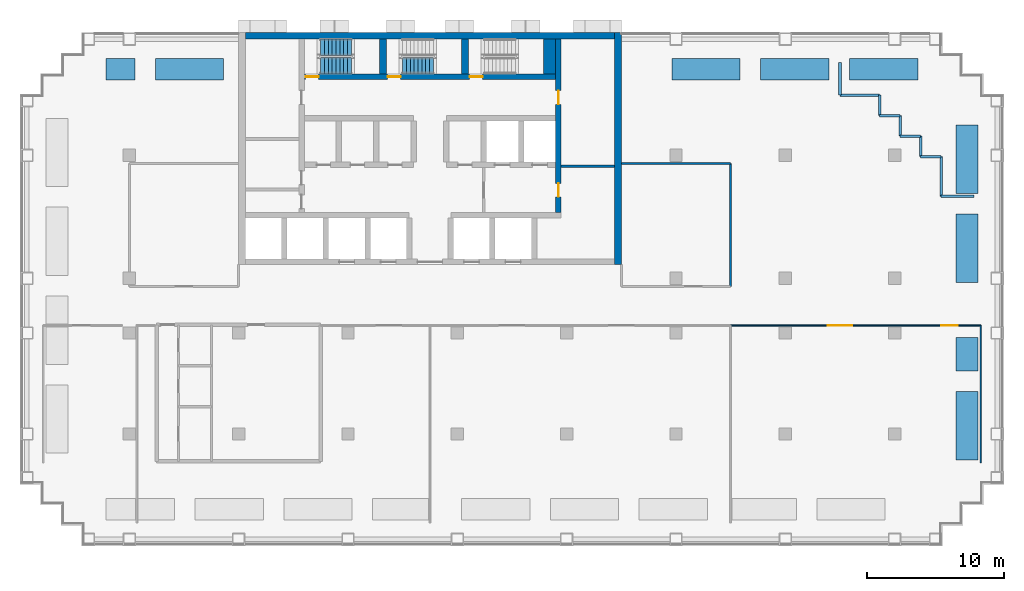
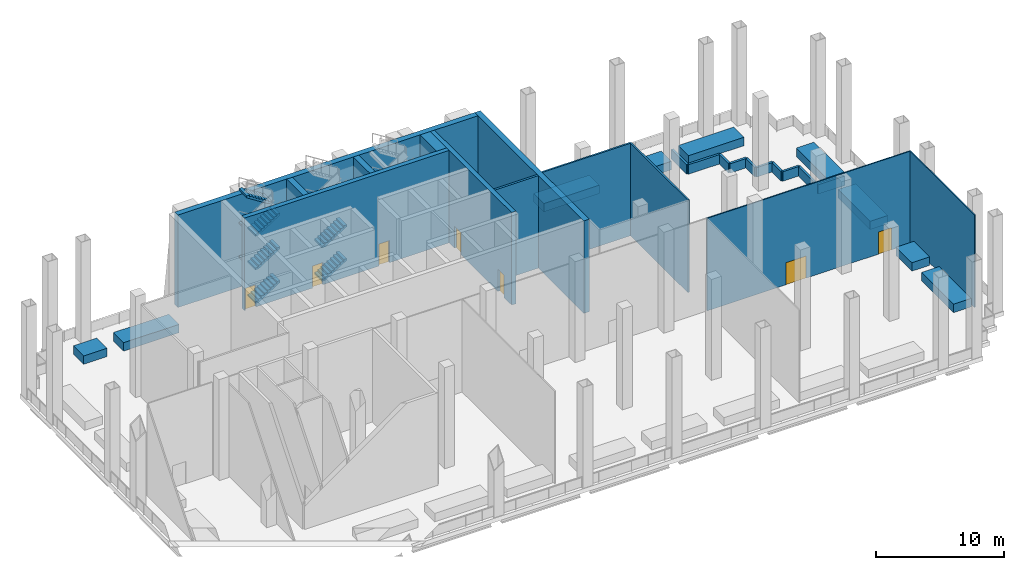
# One storey, part 4 of 9: 31 walls, 8 stair flights, 7 doors, 7 openings, 2 elements without a shape of their own.
"""IFC4 building model written with IfcOpenShell, lengths in metres."""

from ifc_helpers import new_model, si_unit, direction, frame, frame_2d, origin, place, context, subcontext, project, spatial, polyline, rectangle, outline, extrude, material, layer, layer_set, type_object, element, fill, aggregate, save


model = new_model("IFC4")

# Units and contexts
model_context = context("Model", 3, precision=1e-05, world=origin(), true_north=direction((0.0, 1.0)))
body_context = subcontext(model_context, "Body", "Model", "MODEL_VIEW")
ifc_project = project(units=[si_unit("LENGTHUNIT", "METRE"), si_unit("AREAUNIT", "SQUARE_METRE"), si_unit("VOLUMEUNIT", "CUBIC_METRE"), si_unit("PLANEANGLEUNIT", "RADIAN"), si_unit("MASSUNIT", "GRAM", prefix="KILO")], contexts=[model_context])

# Site, building, storey
site_placement = place(None, origin())
site = spatial("IfcSite", under=ifc_project, at=site_placement, CompositionType="ELEMENT")
building_placement = place(site_placement, origin())
building = spatial("IfcBuilding", under=site, at=building_placement, Name="Vidyagriha Tower", CompositionType="ELEMENT")
storey_placement = place(building_placement, frame((0.0, 0.0, 106.300048828125)))
storey = spatial("IfcBuildingStorey", under=building, at=storey_placement, Name="L28", CompositionType="ELEMENT", Elevation=106.300048828125)

# Walls
ifc_material_1 = material(Name="Precast concrete C40/50 with brick facing", Category="concrete")
ifc_layer_1 = layer(ifc_material_1, 1.60009765625)
ifc_layer_set_1 = layer_set([ifc_layer_1], Name="Precast concrete C40/50 with brick facing")
wall_type_1 = type_object("IfcWallType", Name="Brick planter box 1600", PredefinedType="STANDARD", material=ifc_layer_set_1)
for number, where, z_axis, x_axis, name in (
    (1, (35.699951171875, 17.300048828125, 0.0), (0.0, 0.0, 1.0), (-1.0, 0.0, 0.0), "PLANTER L28 1"),
    (2, (29.199951171875, 17.300048828125, 0.0), (0.0, 0.0, 1.0), (-1.0, 0.0, 0.0), "PLANTER L28 2"),
    (3, (22.699951171875, 17.300048828125, 0.0), (0.0, 0.0, 1.0), (-1.0, 0.0, 0.0), "PLANTER L28 3"),
    (4, (-15.10009765625, 17.300048828125, 0.0), (0.0, 0.0, 1.0), (-1.0, 0.0, 0.0), "PLANTER L28 4"),
):
    element("IfcWall", number, at=place(storey_placement, frame(where, z_axis=z_axis, x_axis=x_axis)), inside=storey, type_object=wall_type_1, Name=name, PredefinedType="STANDARD", context=body_context, shape_type="SweptSolid", body=[
        extrude(rectangle(XDim=5.0, YDim=1.60009765625, at=frame_2d((2.5, 0.0))), origin(), (0.0, 0.0, 1.0), 0.800048828125),
    ])
wall_1_placement = place(storey_placement, frame((-21.60009765625, 17.300048828125, 0.0), z_axis=(0.0, 0.0, 1.0), x_axis=(-1.0, 0.0, 0.0)))
element("IfcWall", 5, at=wall_1_placement, inside=storey, type_object=wall_type_1, Name="PLANTER L28 5", PredefinedType="STANDARD", context=body_context, shape_type="SweptSolid", body=[
    extrude(rectangle(XDim=2.099853515625, YDim=1.60009765625, at=frame_2d((1.0498046875, 0.0))), origin(), (0.0, 0.0, 1.0), 0.800048828125),
])
for number, where, z_axis, x_axis, name in (
    (6, (39.300048828125, -11.300048828125, 0.0), (0.0, 0.0, 1.0), (0.0, 1.0, 0.0), "PLANTER L28 19"),
    (7, (39.300048828125, 1.699951171875, 0.0), (0.0, 0.0, 1.0), (0.0, 1.0, 0.0), "PLANTER L28 21"),
    (8, (39.300048828125, 8.199951171875, 0.0), (0.0, 0.0, 1.0), (0.0, 1.0, 0.0), "PLANTER L28 22"),
):
    element("IfcWall", number, at=place(storey_placement, frame(where, z_axis=z_axis, x_axis=x_axis)), inside=storey, type_object=wall_type_1, Name=name, PredefinedType="STANDARD", context=body_context, shape_type="SweptSolid", body=[
        extrude(rectangle(XDim=5.0, YDim=1.60009765625, at=frame_2d((2.5, 0.0))), origin(), (0.0, 0.0, 1.0), 0.800048828125),
    ])
wall_2_placement = place(storey_placement, frame((39.300048828125, -4.800048828125, 0.0), z_axis=(0.0, 0.0, 1.0), x_axis=(0.0, 1.0, 0.0)))
element("IfcWall", 9, at=wall_2_placement, inside=storey, type_object=wall_type_1, Name="PLANTER L28 20", PredefinedType="STANDARD", context=body_context, shape_type="SweptSolid", body=[
    extrude(rectangle(XDim=2.449951171875, YDim=1.60009765625, at=frame_2d((1.22509765625, 0.0))), origin(), (0.0, 0.0, 1.0), 0.800048828125),
])
ifc_material_2 = material(Name="Fired clay brick masonry", Category="masonry")
ifc_layer_2 = layer(ifc_material_2, 0.199951171875)
ifc_layer_set_2 = layer_set([ifc_layer_2], Name="Fired clay brick masonry")
wall_type_2 = type_object("IfcWallType", Name="Brick planter wall 200", PredefinedType="PARTITIONING", material=ifc_layer_set_2)
wall_3_placement = place(storey_placement, frame((37.39990234375, 8.0, 0.0)))
element("IfcWall", 10, at=wall_3_placement, inside=storey, type_object=wall_type_2, Name="Wall all-L28-w040", PredefinedType="PARTITIONING", context=body_context, shape_type="SweptSolid", body=[
    extrude(rectangle(XDim=2.400146484375, YDim=0.199951171875, at=frame_2d((1.2001953125, 0.0))), origin(), (0.0, 0.0, 1.0), 0.89990234375),
])
wall_4_placement = place(storey_placement, frame((37.39990234375, 8.0, 0.0), z_axis=(0.0, 0.0, 1.0), x_axis=(0.0, 1.0, 0.0)))
element("IfcWall", 11, at=wall_4_placement, inside=storey, type_object=wall_type_2, Name="Wall all-L28-w041", PredefinedType="PARTITIONING", context=body_context, shape_type="SweptSolid", body=[
    extrude(rectangle(XDim=2.89990234375, YDim=0.199951171875, at=frame_2d((1.449951171875, 0.0))), origin(), (0.0, 0.0, 1.0), 0.89990234375),
])
wall_5_placement = place(storey_placement, frame((35.89990234375, 10.89990234375, 0.0)))
element("IfcWall", 12, at=wall_5_placement, inside=storey, type_object=wall_type_2, Name="Wall all-L28-w042", PredefinedType="PARTITIONING", context=body_context, shape_type="SweptSolid", body=[
    extrude(rectangle(XDim=1.5, YDim=0.199951171875, at=frame_2d((0.75, 0.0))), origin(), (0.0, 0.0, 1.0), 0.89990234375),
])
wall_6_placement = place(storey_placement, frame((35.89990234375, 12.39990234375, 0.0), z_axis=(0.0, 0.0, 1.0), x_axis=(0.0, -1.0, 0.0)))
element("IfcWall", 13, at=wall_6_placement, inside=storey, type_object=wall_type_2, Name="Wall all-L28-w043", PredefinedType="PARTITIONING", context=body_context, shape_type="SweptSolid", body=[
    extrude(rectangle(XDim=1.5, YDim=0.199951171875, at=frame_2d((0.75, 0.0))), origin(), (0.0, 0.0, 1.0), 0.89990234375),
])
wall_7_placement = place(storey_placement, frame((34.39990234375, 12.39990234375, 0.0)))
element("IfcWall", 14, at=wall_7_placement, inside=storey, type_object=wall_type_2, Name="Wall all-L28-w044", PredefinedType="PARTITIONING", context=body_context, shape_type="SweptSolid", body=[
    extrude(rectangle(XDim=1.5, YDim=0.199951171875, at=frame_2d((0.75, 0.0))), origin(), (0.0, 0.0, 1.0), 0.89990234375),
])
wall_8_placement = place(storey_placement, frame((34.39990234375, 13.89990234375, 0.0), z_axis=(0.0, 0.0, 1.0), x_axis=(0.0, -1.0, 0.0)))
element("IfcWall", 15, at=wall_8_placement, inside=storey, type_object=wall_type_2, Name="Wall all-L28-w045", PredefinedType="PARTITIONING", context=body_context, shape_type="SweptSolid", body=[
    extrude(rectangle(XDim=1.5, YDim=0.199951171875, at=frame_2d((0.75, 0.0))), origin(), (0.0, 0.0, 1.0), 0.89990234375),
])
wall_9_placement = place(storey_placement, frame((32.89990234375, 13.89990234375, 0.0)))
element("IfcWall", 16, at=wall_9_placement, inside=storey, type_object=wall_type_2, Name="Wall all-L28-w046", PredefinedType="PARTITIONING", context=body_context, shape_type="SweptSolid", body=[
    extrude(rectangle(XDim=1.5, YDim=0.199951171875, at=frame_2d((0.75, 0.0))), origin(), (0.0, 0.0, 1.0), 0.89990234375),
])
wall_10_placement = place(storey_placement, frame((32.89990234375, 15.39990234375, 0.0), z_axis=(0.0, 0.0, 1.0), x_axis=(0.0, -1.0, 0.0)))
element("IfcWall", 17, at=wall_10_placement, inside=storey, type_object=wall_type_2, Name="Wall all-L28-w047", PredefinedType="PARTITIONING", context=body_context, shape_type="SweptSolid", body=[
    extrude(rectangle(XDim=1.5, YDim=0.199951171875, at=frame_2d((0.75, 0.0))), origin(), (0.0, 0.0, 1.0), 0.89990234375),
])
wall_11_placement = place(storey_placement, frame((32.89990234375, 15.39990234375, 0.0), z_axis=(0.0, 0.0, 1.0), x_axis=(-1.0, 0.0, 0.0)))
element("IfcWall", 18, at=wall_11_placement, inside=storey, type_object=wall_type_2, Name="Wall all-L28-w048", PredefinedType="PARTITIONING", context=body_context, shape_type="SweptSolid", body=[
    extrude(rectangle(XDim=2.89990234375, YDim=0.199951171875, at=frame_2d((1.449951171875, 0.0))), origin(), (0.0, 0.0, 1.0), 0.89990234375),
])
wall_12_placement = place(storey_placement, frame((30.0, 17.800048828125, 0.0), z_axis=(0.0, 0.0, 1.0), x_axis=(0.0, -1.0, 0.0)))
element("IfcWall", 19, at=wall_12_placement, inside=storey, type_object=wall_type_2, Name="Wall all-L28-w049", PredefinedType="PARTITIONING", context=body_context, shape_type="SweptSolid", body=[
    extrude(rectangle(XDim=2.400146484375, YDim=0.199951171875, at=frame_2d((1.2001953125, 0.0))), origin(), (0.0, 0.0, 1.0), 0.89990234375),
])

# Wall, openings, doors
ifc_material_3 = material(Name="Concrete C60/75", Category="concrete")
ifc_layer_3 = layer(ifc_material_3, 0.39990234375)
ifc_layer_set_3 = layer_set([ifc_layer_3], Name="Concrete C60/75")
wall_type_3 = type_object("IfcWallType", Name="Core shear wall 400 mm", PredefinedType="SHEAR", material=ifc_layer_set_3)
wall_13_placement = place(storey_placement, frame((9.39990234375, 6.800048828125, 0.0), z_axis=(0.0, 0.0, 1.0), x_axis=(0.0, 1.0, 0.0)))
wall_13 = element("IfcWall", 20, at=wall_13_placement, inside=storey, type_object=wall_type_3, Name="Core east spine wall", PredefinedType="SHEAR", context=body_context, shape_type="SweptSolid", body=[
    extrude(rectangle(XDim=12.699951171875, YDim=0.39990234375, at=frame_2d((6.35009765625, 0.0))), origin(), (0.0, 0.0, 1.0), 8.800048828125),
])
opening_1_placement = place(wall_13_placement, frame((1.14990234375, 0.0, 0.0)))
opening_1 = element("IfcOpeningElement", 21, at=opening_1_placement, cuts=wall_13, Name="Opening D28-13", PredefinedType="OPENING", context=body_context, shape_type="SweptSolid", body=[
    extrude(rectangle(XDim=1.0, YDim=2.10009765625, at=frame_2d((0.5, 1.050048828125))), frame((0.0, 0.2099609375, 0.0), z_axis=(0.0, -1.0, 0.0), x_axis=(1.0, 0.0, 0.0)), (0.0, 0.0, 1.0), 0.419921875),
])
opening_2_placement = place(wall_13_placement, frame((7.925048828125, 0.0, 0.0)))
opening_2 = element("IfcOpeningElement", 22, at=opening_2_placement, cuts=wall_13, Name="Opening D28-14", PredefinedType="OPENING", context=body_context, shape_type="SweptSolid", body=[
    extrude(rectangle(XDim=1.0, YDim=2.10009765625, at=frame_2d((0.5, 1.050048828125))), frame((0.0, 0.2099609375, 0.0), z_axis=(0.0, -1.0, 0.0), x_axis=(1.0, 0.0, 0.0)), (0.0, 0.0, 1.0), 0.419921875),
])
ifc_material_4 = material(Name="Hollow metal door leaf")
door_type_1 = type_object("IfcDoorType", Name="Core room door 1000 x 2100 mm EI 60", OperationType="NOTDEFINED", PredefinedType="DOOR", material=ifc_material_4)
door_1_placement = place(opening_1_placement, origin())
door_1 = element("IfcDoor", 23, at=door_1_placement, inside=storey, type_object=door_type_1, Name="Door Pressurisation Plant Room 28.E1", OperationType="SINGLE_SWING_RIGHT", OverallHeight=2.10009765625, OverallWidth=1.0, PredefinedType="DOOR", context=body_context, shape_type="SweptSolid", body=[
    extrude(rectangle(XDim=1.0, YDim=2.10009765625, at=frame_2d((0.5, 1.050048828125))), frame((0.0, 0.02490234375, 0.0), z_axis=(0.0, -1.0, 0.0), x_axis=(1.0, 0.0, 0.0)), (0.0, 0.0, 1.0), 0.050048828125),
])
fill(opening_1, door_1)
door_2_placement = place(opening_2_placement, origin())
door_2 = element("IfcDoor", 24, at=door_2_placement, inside=storey, type_object=door_type_1, Name="Door Storage Room 28.E2", OperationType="SINGLE_SWING_LEFT", OverallHeight=2.10009765625, OverallWidth=1.0, PredefinedType="DOOR", context=body_context, shape_type="SweptSolid", body=[
    extrude(rectangle(XDim=1.0, YDim=2.10009765625, at=frame_2d((0.5, 1.050048828125))), frame((0.0, 0.02490234375, 0.0), z_axis=(0.0, -1.0, 0.0), x_axis=(1.0, 0.0, 0.0)), (0.0, 0.0, 1.0), 0.050048828125),
])
fill(opening_2, door_2)

wall_14_placement = place(storey_placement, frame((-9.199951171875, 16.75, 0.0)))
wall_14 = element("IfcWall", 25, at=wall_14_placement, inside=storey, type_object=wall_type_3, Name="Stair front wall", PredefinedType="SHEAR", context=body_context, shape_type="SweptSolid", body=[
    extrude(rectangle(XDim=18.39990234375, YDim=0.39990234375, at=frame_2d((9.199951171875, 0.0))), origin(), (0.0, 0.0, 1.0), 8.800048828125),
])
opening_3_placement = place(wall_14_placement, frame((0.10009765625, 0.0, 0.0)))
opening_3 = element("IfcOpeningElement", 26, at=opening_3_placement, cuts=wall_14, Name="Opening D28-07", PredefinedType="OPENING", context=body_context, shape_type="SweptSolid", body=[
    extrude(rectangle(XDim=0.949951171875, YDim=2.10009765625, at=frame_2d((0.47509765625, 1.050048828125))), frame((0.0, 0.2099609375, 0.0), z_axis=(0.0, -1.0, 0.0), x_axis=(1.0, 0.0, 0.0)), (0.0, 0.0, 1.0), 0.419921875),
])
opening_4_placement = place(wall_14_placement, frame((6.10009765625, 0.0, 0.0)))
opening_4 = element("IfcOpeningElement", 27, at=opening_4_placement, cuts=wall_14, Name="Opening D28-08", PredefinedType="OPENING", context=body_context, shape_type="SweptSolid", body=[
    extrude(rectangle(XDim=0.949951171875, YDim=2.10009765625, at=frame_2d((0.47509765625, 1.050048828125))), frame((0.0, 0.2099609375, 0.0), z_axis=(0.0, -1.0, 0.0), x_axis=(1.0, 0.0, 0.0)), (0.0, 0.0, 1.0), 0.419921875),
])
opening_5_placement = place(wall_14_placement, frame((12.10009765625, 0.0, 0.0)))
opening_5 = element("IfcOpeningElement", 28, at=opening_5_placement, cuts=wall_14, Name="Opening D28-09", PredefinedType="OPENING", context=body_context, shape_type="SweptSolid", body=[
    extrude(rectangle(XDim=0.949951171875, YDim=2.10009765625, at=frame_2d((0.47509765625, 1.050048828125))), frame((0.0, 0.2099609375, 0.0), z_axis=(0.0, -1.0, 0.0), x_axis=(1.0, 0.0, 0.0)), (0.0, 0.0, 1.0), 0.419921875),
])
ifc_material_5 = material(Name="Hollow metal door leaf")
door_type_2 = type_object("IfcDoorType", Name="Exit stair door 950 x 2100 mm EI 90", OperationType="NOTDEFINED", PredefinedType="DOOR", material=ifc_material_5)
door_3_placement = place(opening_3_placement, origin())
door_3 = element("IfcDoor", 29, at=door_3_placement, inside=storey, type_object=door_type_2, Name="Stair door ST1 L28", OperationType="SINGLE_SWING_LEFT", OverallHeight=2.10009765625, OverallWidth=0.949951171875, PredefinedType="DOOR", context=body_context, shape_type="SweptSolid", body=[
    extrude(rectangle(XDim=0.949951171875, YDim=2.10009765625, at=frame_2d((0.47509765625, 1.050048828125))), frame((0.0, 0.02490234375, 0.0), z_axis=(0.0, -1.0, 0.0), x_axis=(1.0, 0.0, 0.0)), (0.0, 0.0, 1.0), 0.050048828125),
])
fill(opening_3, door_3)
door_4_placement = place(opening_4_placement, origin())
door_4 = element("IfcDoor", 30, at=door_4_placement, inside=storey, type_object=door_type_2, Name="Stair door ST2 L28", OperationType="SINGLE_SWING_LEFT", OverallHeight=2.10009765625, OverallWidth=0.949951171875, PredefinedType="DOOR", context=body_context, shape_type="SweptSolid", body=[
    extrude(rectangle(XDim=0.949951171875, YDim=2.10009765625, at=frame_2d((0.47509765625, 1.050048828125))), frame((0.0, 0.02490234375, 0.0), z_axis=(0.0, -1.0, 0.0), x_axis=(1.0, 0.0, 0.0)), (0.0, 0.0, 1.0), 0.050048828125),
])
fill(opening_4, door_4)
door_5_placement = place(opening_5_placement, origin())
door_5 = element("IfcDoor", 31, at=door_5_placement, inside=storey, type_object=door_type_2, Name="Stair door ST3 L28", OperationType="SINGLE_SWING_LEFT", OverallHeight=2.10009765625, OverallWidth=0.949951171875, PredefinedType="DOOR", context=body_context, shape_type="SweptSolid", body=[
    extrude(rectangle(XDim=0.949951171875, YDim=2.10009765625, at=frame_2d((0.47509765625, 1.050048828125))), frame((0.0, 0.02490234375, 0.0), z_axis=(0.0, -1.0, 0.0), x_axis=(1.0, 0.0, 0.0)), (0.0, 0.0, 1.0), 0.050048828125),
])
fill(opening_5, door_5)

# Walls
ifc_material_6 = material(Name="Concrete C60/75", Category="concrete")
ifc_layer_4 = layer(ifc_material_6, 0.5)
ifc_layer_set_4 = layer_set([ifc_layer_4], Name="Concrete C60/75")
wall_type_4 = type_object("IfcWallType", Name="Core shear wall 500 mm", PredefinedType="SHEAR", material=ifc_layer_set_4)
wall_15_placement = place(storey_placement, frame((13.75, 3.0, 0.0), z_axis=(0.0, 0.0, 1.0), x_axis=(0.0, 1.0, 0.0)))
element("IfcWall", 32, at=wall_15_placement, inside=storey, type_object=wall_type_4, Name="Core east wall", PredefinedType="SHEAR", context=body_context, shape_type="SweptSolid", body=[
    extrude(rectangle(XDim=17.0, YDim=0.5, at=frame_2d((8.5, 0.0))), origin(), (0.0, 0.0, 1.0), 8.800048828125),
])
wall_16_placement = place(storey_placement, frame((-13.5, 19.75, 0.0)))
element("IfcWall", 33, at=wall_16_placement, inside=storey, type_object=wall_type_4, Name="Core north wall", PredefinedType="SHEAR", context=body_context, shape_type="SweptSolid", body=[
    extrude(rectangle(XDim=27.0, YDim=0.5, at=frame_2d((13.5, 0.0))), origin(), (0.0, 0.0, 1.0), 8.800048828125),
])
for number, where, z_axis, x_axis, name in (
    (34, (-3.449951171875, 16.949951171875, 0.0), (0.0, 0.0, 1.0), (0.0, 1.0, 0.0), "Stair partition wall 1"),
    (35, (2.550048828125, 16.949951171875, 0.0), (0.0, 0.0, 1.0), (0.0, 1.0, 0.0), "Stair partition wall 2"),
):
    element("IfcWall", number, at=place(storey_placement, frame(where, z_axis=z_axis, x_axis=x_axis)), inside=storey, type_object=wall_type_4, Name=name, PredefinedType="SHEAR", context=body_context, shape_type="SweptSolid", body=[
        extrude(rectangle(XDim=2.550048828125, YDim=0.5, at=frame_2d((1.27490234375, 0.0))), origin(), (0.0, 0.0, 1.0), 8.800048828125),
    ])
ifc_material_7 = material(Name="Concrete C60/75", Category="concrete")
ifc_layer_5 = layer(ifc_material_7, 0.89990234375)
ifc_layer_set_5 = layer_set([ifc_layer_5], Name="Concrete C60/75")
wall_type_5 = type_object("IfcWallType", Name="Core shear wall 900 mm", PredefinedType="SHEAR", material=ifc_layer_set_5)
wall_17_placement = place(storey_placement, frame((8.75, 16.949951171875, 0.0), z_axis=(0.0, 0.0, 1.0), x_axis=(0.0, 1.0, 0.0)))
element("IfcWall", 36, at=wall_17_placement, inside=storey, type_object=wall_type_5, Name="Stair end wall", PredefinedType="SHEAR", context=body_context, shape_type="SweptSolid", body=[
    extrude(rectangle(XDim=2.550048828125, YDim=0.89990234375, at=frame_2d((1.27490234375, 0.0))), origin(), (0.0, 0.0, 1.0), 8.800048828125),
])

# Wall, openings, doors
ifc_material_8 = material(Name="Glass clear low-iron", Category="glass")
ifc_layer_6 = layer(ifc_material_8, 0.10009765625)
ifc_layer_set_6 = layer_set([ifc_layer_6], Name="Glass clear low-iron")
wall_type_6 = type_object("IfcWallType", Name="Glazed partition 100", PredefinedType="PARTITIONING", material=ifc_layer_set_6)
wall_18_placement = place(storey_placement, frame((22.0, -1.449951171875, 0.0)))
wall_18 = element("IfcWall", 37, at=wall_18_placement, inside=storey, type_object=wall_type_6, Name="Wall all-L28-w028", PredefinedType="PARTITIONING", context=body_context, shape_type="SweptSolid", body=[
    extrude(rectangle(XDim=18.300048828125, YDim=0.10009765625, at=frame_2d((9.14990234375, 0.0))), origin(), (0.0, 0.0, 1.0), 8.800048828125),
])
opening_6_placement = place(wall_18_placement, frame((7.10009765625, 0.0, 0.0)))
opening_6 = element("IfcOpeningElement", 38, at=opening_6_placement, cuts=wall_18, Name="Opening D28-26", PredefinedType="OPENING", context=body_context, shape_type="SweptSolid", body=[
    extrude(rectangle(XDim=1.800048828125, YDim=2.10009765625, at=frame_2d((0.89990234375, 1.050048828125))), frame((0.0, 0.06005859375, 0.0), z_axis=(0.0, -1.0, 0.0), x_axis=(1.0, 0.0, 0.0)), (0.0, 0.0, 1.0), 0.1201171875),
])
opening_7_placement = place(wall_18_placement, frame((15.39990234375, 0.0, 0.0)))
opening_7 = element("IfcOpeningElement", 39, at=opening_7_placement, cuts=wall_18, Name="Opening D28-27", PredefinedType="OPENING", context=body_context, shape_type="SweptSolid", body=[
    extrude(rectangle(XDim=1.199951171875, YDim=2.10009765625, at=frame_2d((0.60009765625, 1.050048828125))), frame((0.0, 0.06005859375, 0.0), z_axis=(0.0, -1.0, 0.0), x_axis=(1.0, 0.0, 0.0)), (0.0, 0.0, 1.0), 0.1201171875),
])
ifc_material_9 = material(Name="Timber door leaf", Category="wood")
door_type_3 = type_object("IfcDoorType", Name="Room door 1200x2100", OperationType="NOTDEFINED", PredefinedType="DOOR", material=ifc_material_9)
door_6_placement = place(opening_7_placement, origin())
door_6 = element("IfcDoor", 40, at=door_6_placement, inside=storey, type_object=door_type_3, Name="Door D28-27", OperationType="SINGLE_SWING_RIGHT", OverallHeight=2.10009765625, OverallWidth=1.199951171875, PredefinedType="DOOR", context=body_context, shape_type="SweptSolid", body=[
    extrude(rectangle(XDim=1.199951171875, YDim=2.10009765625, at=frame_2d((0.60009765625, 1.050048828125))), frame((0.0, 0.02490234375, 0.0), z_axis=(0.0, -1.0, 0.0), x_axis=(1.0, 0.0, 0.0)), (0.0, 0.0, 1.0), 0.050048828125),
])
fill(opening_7, door_6)
ifc_material_10 = material(Name="Timber door leaf", Category="wood")
door_type_4 = type_object("IfcDoorType", Name="Room door 1800x2100", OperationType="NOTDEFINED", PredefinedType="DOOR", material=ifc_material_10)
door_7_placement = place(opening_6_placement, origin())
door_7 = element("IfcDoor", 41, at=door_7_placement, inside=storey, type_object=door_type_4, Name="Door D28-26", OperationType="DOUBLE_DOOR_SINGLE_SWING", OverallHeight=2.10009765625, OverallWidth=1.800048828125, PredefinedType="DOOR", context=body_context, shape_type="SweptSolid", body=[
    extrude(rectangle(XDim=1.800048828125, YDim=2.10009765625, at=frame_2d((0.89990234375, 1.050048828125))), frame((0.0, 0.02490234375, 0.0), z_axis=(0.0, -1.0, 0.0), x_axis=(1.0, 0.0, 0.0)), (0.0, 0.0, 1.0), 0.050048828125),
])
fill(opening_6, door_7)

# Walls
wall_19_placement = place(storey_placement, frame((40.300048828125, -1.449951171875, 0.0), z_axis=(0.0, 0.0, 1.0), x_axis=(0.0, -1.0, 0.0)))
element("IfcWall", 42, at=wall_19_placement, inside=storey, type_object=wall_type_6, Name="Wall all-L28-w039", PredefinedType="PARTITIONING", context=body_context, shape_type="SweptSolid", body=[
    extrude(rectangle(XDim=10.051025390625, YDim=0.10009765625, at=frame_2d((5.025390625, 0.0))), origin(), (0.0, 0.0, 1.0), 8.800048828125),
])
ifc_material_11 = material(Name="Gypsum board partition")
ifc_layer_7 = layer(ifc_material_11, 0.14990234375)
ifc_layer_set_7 = layer_set([ifc_layer_7], Name="Gypsum board partition")
wall_type_7 = type_object("IfcWallType", Name="Gypsum board partition 150", PredefinedType="PARTITIONING", material=ifc_layer_set_7)
wall_20_placement = place(storey_placement, frame((22.0, 1.39990234375, 0.0), z_axis=(0.0, 0.0, 1.0), x_axis=(0.0, 1.0, 0.0)))
element("IfcWall", 43, at=wall_20_placement, inside=storey, type_object=wall_type_7, Name="Wall all-L28-w019", PredefinedType="PARTITIONING", context=body_context, shape_type="SweptSolid", body=[
    extrude(rectangle(XDim=9.0, YDim=0.14990234375, at=frame_2d((4.5, 0.0))), origin(), (0.0, 0.0, 1.0), 8.800048828125),
])
wall_21_placement = place(storey_placement, frame((22.0, 10.39990234375, 0.0), z_axis=(0.0, 0.0, 1.0), x_axis=(-1.0, 0.0, 0.0)))
element("IfcWall", 44, at=wall_21_placement, inside=storey, type_object=wall_type_7, Name="Wall all-L28-w020", PredefinedType="PARTITIONING", context=body_context, shape_type="SweptSolid", body=[
    extrude(rectangle(XDim=8.0, YDim=0.14990234375, at=frame_2d((4.0, 0.0))), origin(), (0.0, 0.0, 1.0), 8.800048828125),
])
ifc_material_12 = material(Name="Blockwork 15 MPa", Category="masonry")
ifc_layer_8 = layer(ifc_material_12, 0.199951171875)
ifc_layer_set_8 = layer_set([ifc_layer_8], Name="Blockwork 15 MPa")
wall_type_8 = type_object("IfcWallType", Name="Service room partition 200 mm", PredefinedType="PARTITIONING", material=ifc_layer_set_8)
wall_22_placement = place(storey_placement, frame((9.60009765625, 10.199951171875, 0.0)))
element("IfcWall", 45, at=wall_22_placement, inside=storey, type_object=wall_type_8, Name="Core room partition E1", PredefinedType="PARTITIONING", context=body_context, shape_type="SweptSolid", body=[
    extrude(rectangle(XDim=3.89990234375, YDim=0.199951171875, at=frame_2d((1.949951171875, 0.0))), origin(), (0.0, 0.0, 1.0), 8.800048828125),
])

# Stair, stair flights
ifc_material_13 = material(Name="Concrete C40/50", Category="concrete")
stair_type = type_object("IfcStairType", Name="Exit stair, half-turn, precast flights", PredefinedType="HALF_TURN_STAIR", material=ifc_material_13)
stair_1_placement = place(storey_placement, origin())
stair_1 = element("IfcStair", 46, at=stair_1_placement, inside=storey, type_object=stair_type, Name="L28 Exit Stair ST1", PredefinedType="HALF_TURN_STAIR")
ifc_material_14 = material(Name="Precast concrete C40/50", Category="concrete")
stair_flight_type = type_object("IfcStairFlightType", Name="Exit stair flight 1200 mm, precast", PredefinedType="STRAIGHT", material=ifc_material_14)
stair_flight_1_placement = place(storey_placement, frame((-8.0, 17.550048828125, 0.0)))
stair_flight_1 = element("IfcStairFlight", 47, at=stair_flight_1_placement, type_object=stair_flight_type, Name="ST1 flight 1", NumberOfRisers=9, NumberOfTreads=8, PredefinedType="STRAIGHT", RiserHeight=0.177777778, TreadLength=0.28, context=body_context, shape_type="SweptSolid", body=[
    extrude(outline(polyline([(0.0, 0.0), (0.0, 0.177734375), (0.280029296875, 0.177734375), (0.280029296875, 0.35546875), (0.56005859375, 0.35546875), (0.56005859375, 0.533447265625), (0.840087890625, 0.533447265625), (0.840087890625, 0.711181640625), (1.1201171875, 0.711181640625), (1.1201171875, 0.888916015625), (1.39990234375, 0.888916015625), (1.39990234375, 1.066650390625), (1.679931640625, 1.066650390625), (1.679931640625, 1.244384765625), (1.9599609375, 1.244384765625), (1.9599609375, 1.422119140625), (2.239990234375, 1.422119140625), (2.239990234375, 1.60009765625), (2.239990234375, 1.24462890625), (0.27978515625, 0.0), (0.0, 0.0)])), frame((0.0, 0.60009765625, 0.0), z_axis=(0.0, -1.0, 0.0), x_axis=(1.0, 0.0, 0.0)), (0.0, 0.0, 1.0), 1.199951171875),
])
stair_flight_2_placement = place(storey_placement, frame((-5.760009765625, 18.89990234375, 1.599853515625), z_axis=(0.0, 0.0, 1.0), x_axis=(-1.0, 0.0, 0.0)))
stair_flight_2 = element("IfcStairFlight", 48, at=stair_flight_2_placement, type_object=stair_flight_type, Name="ST1 flight 2", NumberOfRisers=9, NumberOfTreads=8, PredefinedType="STRAIGHT", RiserHeight=0.177777778, TreadLength=0.28, context=body_context, shape_type="SweptSolid", body=[
    extrude(outline(polyline([(0.0, 0.0), (0.0, 0.177734375), (0.280029296875, 0.177734375), (0.280029296875, 0.35546875), (0.56005859375, 0.35546875), (0.56005859375, 0.533447265625), (0.840087890625, 0.533447265625), (0.840087890625, 0.711181640625), (1.1201171875, 0.711181640625), (1.1201171875, 0.888916015625), (1.39990234375, 0.888916015625), (1.39990234375, 1.066650390625), (1.679931640625, 1.066650390625), (1.679931640625, 1.244384765625), (1.9599609375, 1.244384765625), (1.9599609375, 1.422119140625), (2.239990234375, 1.422119140625), (2.239990234375, 1.60009765625), (2.239990234375, 1.24462890625), (0.27978515625, 0.0), (0.0, 0.0)])), frame((0.0, 0.60009765625, 0.0), z_axis=(0.0, -1.0, 0.0), x_axis=(1.0, 0.0, 0.0)), (0.0, 0.0, 1.0), 1.199951171875),
])
stair_flight_3_placement = place(storey_placement, frame((-8.0, 17.550048828125, 3.199951171875)))
stair_flight_3 = element("IfcStairFlight", 49, at=stair_flight_3_placement, type_object=stair_flight_type, Name="ST1 flight 3", NumberOfRisers=9, NumberOfTreads=8, PredefinedType="STRAIGHT", RiserHeight=0.177777778, TreadLength=0.28, context=body_context, shape_type="SweptSolid", body=[
    extrude(outline(polyline([(0.0, 0.0), (0.0, 0.177734375), (0.280029296875, 0.177734375), (0.280029296875, 0.35546875), (0.56005859375, 0.35546875), (0.56005859375, 0.533447265625), (0.840087890625, 0.533447265625), (0.840087890625, 0.711181640625), (1.1201171875, 0.711181640625), (1.1201171875, 0.888916015625), (1.39990234375, 0.888916015625), (1.39990234375, 1.066650390625), (1.679931640625, 1.066650390625), (1.679931640625, 1.244384765625), (1.9599609375, 1.244384765625), (1.9599609375, 1.422119140625), (2.239990234375, 1.422119140625), (2.239990234375, 1.60009765625), (2.239990234375, 1.24462890625), (0.27978515625, 0.0), (0.0, 0.0)])), frame((0.0, 0.60009765625, 0.0), z_axis=(0.0, -1.0, 0.0), x_axis=(1.0, 0.0, 0.0)), (0.0, 0.0, 1.0), 1.199951171875),
])
stair_flight_4_placement = place(storey_placement, frame((-5.760009765625, 18.89990234375, 4.800048828125), z_axis=(0.0, 0.0, 1.0), x_axis=(-1.0, 0.0, 0.0)))
stair_flight_4 = element("IfcStairFlight", 50, at=stair_flight_4_placement, type_object=stair_flight_type, Name="ST1 flight 4", NumberOfRisers=9, NumberOfTreads=8, PredefinedType="STRAIGHT", RiserHeight=0.177777778, TreadLength=0.28, context=body_context, shape_type="SweptSolid", body=[
    extrude(outline(polyline([(0.0, 0.0), (0.0, 0.177734375), (0.280029296875, 0.177734375), (0.280029296875, 0.35546875), (0.56005859375, 0.35546875), (0.56005859375, 0.533447265625), (0.840087890625, 0.533447265625), (0.840087890625, 0.711181640625), (1.1201171875, 0.711181640625), (1.1201171875, 0.888916015625), (1.39990234375, 0.888916015625), (1.39990234375, 1.066650390625), (1.679931640625, 1.066650390625), (1.679931640625, 1.244384765625), (1.9599609375, 1.244384765625), (1.9599609375, 1.422119140625), (2.239990234375, 1.422119140625), (2.239990234375, 1.60009765625), (2.239990234375, 1.24462890625), (0.27978515625, 0.0), (0.0, 0.0)])), frame((0.0, 0.60009765625, 0.0), z_axis=(0.0, -1.0, 0.0), x_axis=(1.0, 0.0, 0.0)), (0.0, 0.0, 1.0), 1.199951171875),
])
stair_flight_5_placement = place(storey_placement, frame((-8.0, 17.550048828125, 6.39990234375)))
stair_flight_5 = element("IfcStairFlight", 51, at=stair_flight_5_placement, type_object=stair_flight_type, Name="ST1 flight 5", NumberOfRisers=9, NumberOfTreads=8, PredefinedType="STRAIGHT", RiserHeight=0.177777778, TreadLength=0.28, context=body_context, shape_type="SweptSolid", body=[
    extrude(outline(polyline([(0.0, 0.0), (0.0, 0.177734375), (0.280029296875, 0.177734375), (0.280029296875, 0.35546875), (0.56005859375, 0.35546875), (0.56005859375, 0.533447265625), (0.840087890625, 0.533447265625), (0.840087890625, 0.711181640625), (1.1201171875, 0.711181640625), (1.1201171875, 0.888916015625), (1.39990234375, 0.888916015625), (1.39990234375, 1.066650390625), (1.679931640625, 1.066650390625), (1.679931640625, 1.244384765625), (1.9599609375, 1.244384765625), (1.9599609375, 1.422119140625), (2.239990234375, 1.422119140625), (2.239990234375, 1.60009765625), (2.239990234375, 1.24462890625), (0.27978515625, 0.0), (0.0, 0.0)])), frame((0.0, 0.60009765625, 0.0), z_axis=(0.0, -1.0, 0.0), x_axis=(1.0, 0.0, 0.0)), (0.0, 0.0, 1.0), 1.199951171875),
])
stair_flight_6_placement = place(storey_placement, frame((-5.760009765625, 18.89990234375, 8.0), z_axis=(0.0, 0.0, 1.0), x_axis=(-1.0, 0.0, 0.0)))
stair_flight_6 = element("IfcStairFlight", 52, at=stair_flight_6_placement, type_object=stair_flight_type, Name="ST1 flight 6", NumberOfRisers=9, NumberOfTreads=8, PredefinedType="STRAIGHT", RiserHeight=0.177777778, TreadLength=0.28, context=body_context, shape_type="SweptSolid", body=[
    extrude(outline(polyline([(0.0, 0.0), (0.0, 0.177734375), (0.280029296875, 0.177734375), (0.280029296875, 0.35546875), (0.56005859375, 0.35546875), (0.56005859375, 0.533447265625), (0.840087890625, 0.533447265625), (0.840087890625, 0.711181640625), (1.1201171875, 0.711181640625), (1.1201171875, 0.888916015625), (1.39990234375, 0.888916015625), (1.39990234375, 1.066650390625), (1.679931640625, 1.066650390625), (1.679931640625, 1.244384765625), (1.9599609375, 1.244384765625), (1.9599609375, 1.422119140625), (2.239990234375, 1.422119140625), (2.239990234375, 1.60009765625), (2.239990234375, 1.24462890625), (0.27978515625, 0.0), (0.0, 0.0)])), frame((0.0, 0.60009765625, 0.0), z_axis=(0.0, -1.0, 0.0), x_axis=(1.0, 0.0, 0.0)), (0.0, 0.0, 1.0), 1.199951171875),
])
aggregate(stair_1, [stair_flight_1, stair_flight_2, stair_flight_3, stair_flight_4, stair_flight_5, stair_flight_6])

stair_2_placement = place(storey_placement, origin())
stair_2 = element("IfcStair", 53, at=stair_2_placement, inside=storey, type_object=stair_type, Name="L28 Exit Stair ST2", PredefinedType="HALF_TURN_STAIR")
stair_flight_7_placement = place(storey_placement, frame((-2.0, 17.550048828125, 0.0)))
stair_flight_7 = element("IfcStairFlight", 54, at=stair_flight_7_placement, type_object=stair_flight_type, Name="ST2 flight 1", NumberOfRisers=9, NumberOfTreads=8, PredefinedType="STRAIGHT", RiserHeight=0.177777778, TreadLength=0.28, context=body_context, shape_type="SweptSolid", body=[
    extrude(outline(polyline([(0.0, 0.0), (0.0, 0.177734375), (0.280029296875, 0.177734375), (0.280029296875, 0.35546875), (0.56005859375, 0.35546875), (0.56005859375, 0.533447265625), (0.840087890625, 0.533447265625), (0.840087890625, 0.711181640625), (1.1201171875, 0.711181640625), (1.1201171875, 0.888916015625), (1.39990234375, 0.888916015625), (1.39990234375, 1.066650390625), (1.679931640625, 1.066650390625), (1.679931640625, 1.244384765625), (1.9599609375, 1.244384765625), (1.9599609375, 1.422119140625), (2.239990234375, 1.422119140625), (2.239990234375, 1.60009765625), (2.239990234375, 1.24462890625), (0.27978515625, 0.0), (0.0, 0.0)])), frame((0.0, 0.60009765625, 0.0), z_axis=(0.0, -1.0, 0.0), x_axis=(1.0, 0.0, 0.0)), (0.0, 0.0, 1.0), 1.199951171875),
])
stair_flight_8_placement = place(storey_placement, frame((-2.0, 17.550048828125, 3.199951171875)))
stair_flight_8 = element("IfcStairFlight", 55, at=stair_flight_8_placement, type_object=stair_flight_type, Name="ST2 flight 3", NumberOfRisers=9, NumberOfTreads=8, PredefinedType="STRAIGHT", RiserHeight=0.177777778, TreadLength=0.28, context=body_context, shape_type="SweptSolid", body=[
    extrude(outline(polyline([(0.0, 0.0), (0.0, 0.177734375), (0.280029296875, 0.177734375), (0.280029296875, 0.35546875), (0.56005859375, 0.35546875), (0.56005859375, 0.533447265625), (0.840087890625, 0.533447265625), (0.840087890625, 0.711181640625), (1.1201171875, 0.711181640625), (1.1201171875, 0.888916015625), (1.39990234375, 0.888916015625), (1.39990234375, 1.066650390625), (1.679931640625, 1.066650390625), (1.679931640625, 1.244384765625), (1.9599609375, 1.244384765625), (1.9599609375, 1.422119140625), (2.239990234375, 1.422119140625), (2.239990234375, 1.60009765625), (2.239990234375, 1.24462890625), (0.27978515625, 0.0), (0.0, 0.0)])), frame((0.0, 0.60009765625, 0.0), z_axis=(0.0, -1.0, 0.0), x_axis=(1.0, 0.0, 0.0)), (0.0, 0.0, 1.0), 1.199951171875),
])
aggregate(stair_2, [stair_flight_7, stair_flight_8])

save(model, "model.ifc")
